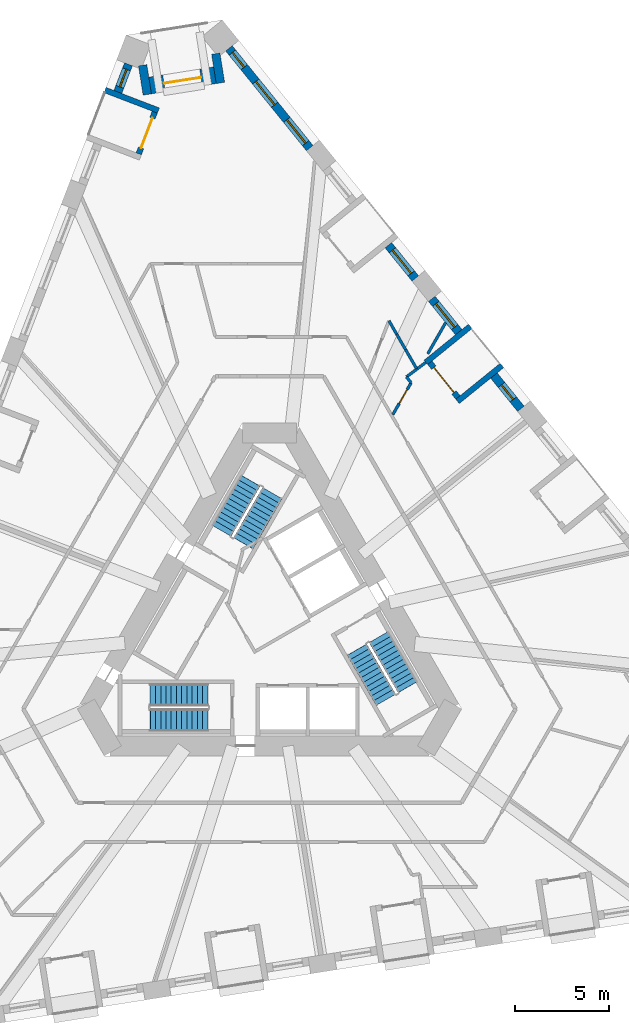
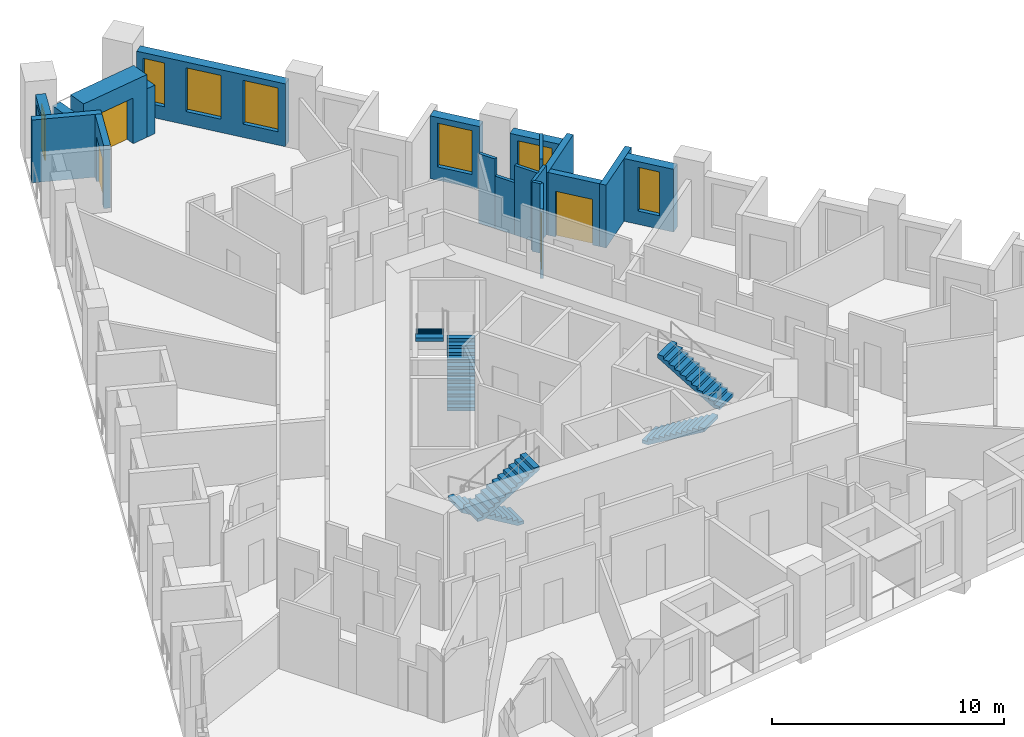
# One storey, part 9 of 13: 20 walls, 7 windows, 6 stair flights, 4 doors, 11 openings, 3 elements without a shape of their own.
"""IFC4 building model written with IfcOpenShell, lengths in metres."""

from ifc_helpers import new_model, si_unit, direction, frame, frame_2d, origin, place, context, subcontext, project, spatial, polyline, rectangle, outline, extrude, material, layer, layer_set, type_object, element, fill, aggregate, save


model = new_model("IFC4")

# Units and contexts
model_context = context("Model", 3, precision=1e-05, world=origin(), true_north=direction((0.0, 1.0)))
body_context = subcontext(model_context, "Body", "Model", "MODEL_VIEW")
ifc_project = project(units=[si_unit("LENGTHUNIT", "METRE"), si_unit("AREAUNIT", "SQUARE_METRE"), si_unit("VOLUMEUNIT", "CUBIC_METRE"), si_unit("PLANEANGLEUNIT", "RADIAN"), si_unit("MASSUNIT", "GRAM", prefix="KILO")], contexts=[model_context])

# Site, building, storey
site_placement = place(None, origin())
site = spatial("IfcSite", under=ifc_project, at=site_placement, CompositionType="ELEMENT")
building_placement = place(site_placement, origin())
building = spatial("IfcBuilding", under=site, at=building_placement, Name="Tramontana Tower", CompositionType="ELEMENT")
storey_placement = place(building_placement, frame((0.0, 0.0, 51.199951171875)))
storey = spatial("IfcBuildingStorey", under=building, at=storey_placement, Name="L10", CompositionType="ELEMENT", Elevation=51.199951171875)

# Wall, opening, window
ifc_material_1 = material(Name="Precast concrete 60 MPa", Category="concrete")
ifc_layer_1 = layer(ifc_material_1, 0.449951171875)
ifc_layer_set_1 = layer_set([ifc_layer_1], Name="Precast concrete 60 MPa, 450 mm")
wall_type_1 = type_object("IfcWallType", Name="EW1 Stone-faced precast wall 450", PredefinedType="SOLIDWALL", material=ifc_layer_set_1)
wall_1_placement = place(storey_placement, frame((-7.521728515625, 30.14453125, 0.0), z_axis=(0.0, 0.0, 1.0), x_axis=(-0.358431261356, -0.933556120907, 0.0)))
wall_1 = element("IfcWall", 1, at=wall_1_placement, inside=storey, type_object=wall_type_1, Name="External wall L10 face 0 bay 1", PredefinedType="SOLIDWALL", context=body_context, shape_type="SweptSolid", body=[
    extrude(rectangle(XDim=1.5830078125, YDim=0.449951171875, at=frame_2d((0.79150390625, 0.0))), origin(), (0.0, 0.0, 1.0), 3.300048828125),
])
opening_1_placement = place(wall_1_placement, frame((0.29150390625, 0.0, 0.699951171875)))
opening_1 = element("IfcOpeningElement", 2, at=opening_1_placement, cuts=wall_1, Name="Opening N1", PredefinedType="OPENING", context=body_context, shape_type="SweptSolid", body=[
    extrude(rectangle(XDim=1.0, YDim=2.300048828125, at=frame_2d((0.5, 1.14990234375))), frame((0.0, 0.23486328125, 0.0), z_axis=(0.0, -1.0, 0.0), x_axis=(1.0, 0.0, 0.0)), (0.0, 0.0, 1.0), 0.469970703125),
])
ifc_material_2 = material(Name="Aluminum frame, double glazing unit", Category="aluminium")
window_type_1 = type_object("IfcWindowType", Name="N1 Window 1 x 2.3", PartitioningType="SINGLE_PANEL", PredefinedType="WINDOW", material=ifc_material_2)
window_1_placement = place(opening_1_placement, origin())
window_1 = element("IfcWindow", 3, at=window_1_placement, inside=storey, type_object=window_type_1, Name="Window N1 L10 face 0 module 1", OverallHeight=2.300048828125, OverallWidth=1.0, PartitioningType="SINGLE_PANEL", PredefinedType="WINDOW", context=body_context, shape_type="SweptSolid", body=[
    extrude(rectangle(XDim=1.0, YDim=2.300048828125, at=frame_2d((0.5, 1.14990234375))), frame((0.0, 0.030029296875, 0.0), z_axis=(0.0, -1.0, 0.0), x_axis=(1.0, 0.0, 0.0)), (0.0, 0.0, 1.0), 0.06005859375),
])
fill(opening_1, window_1)

wall_2_placement = place(storey_placement, frame((13.412109375, 11.76171875, 0.0), z_axis=(0.0, 0.0, 1.0), x_axis=(-0.629339730135, 0.777130300576, 0.0)))
wall_2 = element("IfcWall", 4, at=wall_2_placement, inside=storey, type_object=wall_type_1, Name="External wall L10 face 2 bay 4", PredefinedType="SOLIDWALL", context=body_context, shape_type="SweptSolid", body=[
    extrude(rectangle(XDim=2.282958984375, YDim=0.449951171875, at=frame_2d((1.1416015625, 0.0))), origin(), (0.0, 0.0, 1.0), 3.300048828125),
])
opening_2_placement = place(wall_2_placement, frame((0.6416015625, 0.0, 0.699951171875)))
opening_2 = element("IfcOpeningElement", 5, at=opening_2_placement, cuts=wall_2, Name="Opening N1", PredefinedType="OPENING", context=body_context, shape_type="SweptSolid", body=[
    extrude(rectangle(XDim=1.0, YDim=2.300048828125, at=frame_2d((0.5, 1.14990234375))), frame((0.0, 0.23486328125, 0.0), z_axis=(0.0, -1.0, 0.0), x_axis=(1.0, 0.0, 0.0)), (0.0, 0.0, 1.0), 0.469970703125),
])
window_2_placement = place(opening_2_placement, origin())
window_2 = element("IfcWindow", 6, at=window_2_placement, inside=storey, type_object=window_type_1, Name="Window N1 L10 face 2 module 10", OverallHeight=2.300048828125, OverallWidth=1.0, PartitioningType="SINGLE_PANEL", PredefinedType="WINDOW", context=body_context, shape_type="SweptSolid", body=[
    extrude(rectangle(XDim=1.0, YDim=2.300048828125, at=frame_2d((0.5, 1.14990234375))), frame((0.0, 0.030029296875, 0.0), z_axis=(0.0, -1.0, 0.0), x_axis=(1.0, 0.0, 0.0)), (0.0, 0.0, 1.0), 0.06005859375),
])
fill(opening_2, window_2)

wall_3_placement = place(storey_placement, frame((10.09814453125, 15.85400390625, 0.0), z_axis=(0.0, 0.0, 1.0), x_axis=(-0.629339730135, 0.777130300576, 0.0)))
wall_3 = element("IfcWall", 7, at=wall_3_placement, inside=storey, type_object=wall_type_1, Name="External wall L10 face 2 bay 4", PredefinedType="SOLIDWALL", context=body_context, shape_type="SweptSolid", body=[
    extrude(rectangle(XDim=2.282958984375, YDim=0.449951171875, at=frame_2d((1.1416015625, 0.0))), origin(), (0.0, 0.0, 1.0), 3.300048828125),
])
opening_3_placement = place(wall_3_placement, frame((0.341552734375, 0.0, 0.699951171875)))
opening_3 = element("IfcOpeningElement", 8, at=opening_3_placement, cuts=wall_3, Name="Opening M1", PredefinedType="OPENING", context=body_context, shape_type="SweptSolid", body=[
    extrude(rectangle(XDim=1.60009765625, YDim=2.300048828125, at=frame_2d((0.800048828125, 1.14990234375))), frame((0.0, 0.23486328125, 0.0), z_axis=(0.0, -1.0, 0.0), x_axis=(1.0, 0.0, 0.0)), (0.0, 0.0, 1.0), 0.469970703125),
])
ifc_material_3 = material(Name="Aluminum frame, double glazing unit", Category="aluminium")
window_type_2 = type_object("IfcWindowType", Name="M1 Window 1.6 x 2.3", PartitioningType="SINGLE_PANEL", PredefinedType="WINDOW", material=ifc_material_3)
window_3_placement = place(opening_3_placement, origin())
window_3 = element("IfcWindow", 9, at=window_3_placement, inside=storey, type_object=window_type_2, Name="Window M1 L10 face 2 module 12", OverallHeight=2.300048828125, OverallWidth=1.60009765625, PartitioningType="SINGLE_PANEL", PredefinedType="WINDOW", context=body_context, shape_type="SweptSolid", body=[
    extrude(rectangle(XDim=1.60009765625, YDim=2.300048828125, at=frame_2d((0.800048828125, 1.14990234375))), frame((0.0, 0.030029296875, 0.0), z_axis=(0.0, -1.0, 0.0), x_axis=(1.0, 0.0, 0.0)), (0.0, 0.0, 1.0), 0.06005859375),
])
fill(opening_3, window_3)

wall_4_placement = place(storey_placement, frame((7.7802734375, 18.71630859375, 0.0), z_axis=(0.0, 0.0, 1.0), x_axis=(-0.629275139402, 0.777182603337, 0.0)))
wall_4 = element("IfcWall", 10, at=wall_4_placement, inside=storey, type_object=wall_type_1, Name="External wall L10 face 2 bay 5", PredefinedType="SOLIDWALL", context=body_context, shape_type="SweptSolid", body=[
    extrude(rectangle(XDim=2.28271484375, YDim=0.449951171875, at=frame_2d((1.141357421875, 0.0))), origin(), (0.0, 0.0, 1.0), 3.300048828125),
])
opening_4_placement = place(wall_4_placement, frame((0.341552734375, 0.0, 0.699951171875)))
opening_4 = element("IfcOpeningElement", 11, at=opening_4_placement, cuts=wall_4, Name="Opening M1", PredefinedType="OPENING", context=body_context, shape_type="SweptSolid", body=[
    extrude(rectangle(XDim=1.60009765625, YDim=2.300048828125, at=frame_2d((0.800048828125, 1.14990234375))), frame((0.0, 0.23486328125, 0.0), z_axis=(0.0, -1.0, 0.0), x_axis=(1.0, 0.0, 0.0)), (0.0, 0.0, 1.0), 0.469970703125),
])
window_4_placement = place(opening_4_placement, origin())
window_4 = element("IfcWindow", 12, at=window_4_placement, inside=storey, type_object=window_type_2, Name="Window M1 L10 face 2 module 13", OverallHeight=2.300048828125, OverallWidth=1.60009765625, PartitioningType="SINGLE_PANEL", PredefinedType="WINDOW", context=body_context, shape_type="SweptSolid", body=[
    extrude(rectangle(XDim=1.60009765625, YDim=2.300048828125, at=frame_2d((0.800048828125, 1.14990234375))), frame((0.0, 0.030029296875, 0.0), z_axis=(0.0, -1.0, 0.0), x_axis=(1.0, 0.0, 0.0)), (0.0, 0.0, 1.0), 0.06005859375),
])
fill(opening_4, window_4)

# Wall, openings, windows
wall_5_placement = place(storey_placement, frame((2.148681640625, 25.6708984375, 0.0), z_axis=(0.0, 0.0, 1.0), x_axis=(-0.629339730135, 0.777130300576, 0.0)))
wall_5 = element("IfcWall", 13, at=wall_5_placement, inside=storey, type_object=wall_type_1, Name="External wall L10 face 2 bay 6", PredefinedType="SOLIDWALL", context=body_context, shape_type="SweptSolid", body=[
    extrude(rectangle(XDim=6.848876953125, YDim=0.449951171875, at=frame_2d((3.42431640625, 0.0))), origin(), (0.0, 0.0, 1.0), 3.300048828125),
])
opening_5_placement = place(wall_5_placement, frame((0.341552734375, 0.0, 0.699951171875)))
opening_5 = element("IfcOpeningElement", 14, at=opening_5_placement, cuts=wall_5, Name="Opening M1", PredefinedType="OPENING", context=body_context, shape_type="SweptSolid", body=[
    extrude(rectangle(XDim=1.60009765625, YDim=2.300048828125, at=frame_2d((0.800048828125, 1.14990234375))), frame((0.0, 0.23486328125, 0.0), z_axis=(0.0, -1.0, 0.0), x_axis=(1.0, 0.0, 0.0)), (0.0, 0.0, 1.0), 0.469970703125),
])
opening_6_placement = place(wall_5_placement, frame((2.974365234375, 0.0, 0.699951171875)))
opening_6 = element("IfcOpeningElement", 15, at=opening_6_placement, cuts=wall_5, Name="Opening M1", PredefinedType="OPENING", context=body_context, shape_type="SweptSolid", body=[
    extrude(rectangle(XDim=1.60009765625, YDim=2.300048828125, at=frame_2d((0.800048828125, 1.14990234375))), frame((0.0, 0.23486328125, 0.0), z_axis=(0.0, -1.0, 0.0), x_axis=(1.0, 0.0, 0.0)), (0.0, 0.0, 1.0), 0.469970703125),
])
opening_7_placement = place(wall_5_placement, frame((5.557373046875, 0.0, 0.699951171875)))
opening_7 = element("IfcOpeningElement", 16, at=opening_7_placement, cuts=wall_5, Name="Opening N1", PredefinedType="OPENING", context=body_context, shape_type="SweptSolid", body=[
    extrude(rectangle(XDim=1.0, YDim=2.300048828125, at=frame_2d((0.5, 1.14990234375))), frame((0.0, 0.23486328125, 0.0), z_axis=(0.0, -1.0, 0.0), x_axis=(1.0, 0.0, 0.0)), (0.0, 0.0, 1.0), 0.469970703125),
])
window_5_placement = place(opening_5_placement, origin())
window_5 = element("IfcWindow", 17, at=window_5_placement, inside=storey, type_object=window_type_2, Name="Window M1 L10 face 2 module 16", OverallHeight=2.300048828125, OverallWidth=1.60009765625, PartitioningType="SINGLE_PANEL", PredefinedType="WINDOW", context=body_context, shape_type="SweptSolid", body=[
    extrude(rectangle(XDim=1.60009765625, YDim=2.300048828125, at=frame_2d((0.800048828125, 1.14990234375))), frame((0.0, 0.030029296875, 0.0), z_axis=(0.0, -1.0, 0.0), x_axis=(1.0, 0.0, 0.0)), (0.0, 0.0, 1.0), 0.06005859375),
])
fill(opening_5, window_5)
window_6_placement = place(opening_6_placement, origin())
window_6 = element("IfcWindow", 18, at=window_6_placement, inside=storey, type_object=window_type_2, Name="Window M1 L10 face 2 module 17", OverallHeight=2.300048828125, OverallWidth=1.60009765625, PartitioningType="SINGLE_PANEL", PredefinedType="WINDOW", context=body_context, shape_type="SweptSolid", body=[
    extrude(rectangle(XDim=1.60009765625, YDim=2.300048828125, at=frame_2d((0.800048828125, 1.14990234375))), frame((0.0, 0.030029296875, 0.0), z_axis=(0.0, -1.0, 0.0), x_axis=(1.0, 0.0, 0.0)), (0.0, 0.0, 1.0), 0.06005859375),
])
fill(opening_6, window_6)
window_7_placement = place(opening_7_placement, origin())
window_7 = element("IfcWindow", 19, at=window_7_placement, inside=storey, type_object=window_type_1, Name="Window N1 L10 face 2 module 18", OverallHeight=2.300048828125, OverallWidth=1.0, PartitioningType="SINGLE_PANEL", PredefinedType="WINDOW", context=body_context, shape_type="SweptSolid", body=[
    extrude(rectangle(XDim=1.0, YDim=2.300048828125, at=frame_2d((0.5, 1.14990234375))), frame((0.0, 0.030029296875, 0.0), z_axis=(0.0, -1.0, 0.0), x_axis=(1.0, 0.0, 0.0)), (0.0, 0.0, 1.0), 0.06005859375),
])
fill(opening_7, window_7)

# Walls
for number, where, z_axis, x_axis, name in (
    (20, (-6.765625, 30.09130859375, 0.0), (0.0, 0.0, 1.0), (0.156446802793, -0.987686386408, 0.0), "Corner loggia side wall L10 K10l"),
    (21, (-2.8642578125, 30.709228515625, 0.0), (0.0, 0.0, 1.0), (0.156446802793, -0.987686386408, 0.0), "Corner loggia side wall L10 K10r"),
):
    element("IfcWall", number, at=place(storey_placement, frame(where, z_axis=z_axis, x_axis=x_axis)), inside=storey, type_object=wall_type_1, Name=name, PredefinedType="SOLIDWALL", context=body_context, shape_type="SweptSolid", body=[
        extrude(rectangle(XDim=1.579345703125, YDim=0.449951171875, at=frame_2d((0.78955078125, 0.0))), origin(), (0.0, 0.0, 1.0), 2.550048828125),
    ])

# Wall, opening, door
ifc_material_4 = material(Name="Precast concrete 60 MPa", Category="concrete")
ifc_layer_2 = layer(ifc_material_4, 0.89990234375)
ifc_layer_set_2 = layer_set([ifc_layer_2], Name="EW2 Stone-faced corner loggia wall 900")
wall_type_2 = type_object("IfcWallType", Name="EW2 Stone-faced corner loggia wall 900", PredefinedType="SOLIDWALL", material=ifc_layer_set_2)
wall_6_placement = place(storey_placement, frame((-6.36669921875, 29.01123046875, 0.0), z_axis=(0.0, 0.0, 1.0), x_axis=(0.987683654859, 0.156464046744, 0.0)))
wall_6 = element("IfcWall", 22, at=wall_6_placement, inside=storey, type_object=wall_type_2, Name="Corner loggia wall L10 K10", PredefinedType="SOLIDWALL", context=body_context, shape_type="SweptSolid", body=[
    extrude(rectangle(XDim=3.5, YDim=0.89990234375, at=frame_2d((1.75, 0.0))), origin(), (0.0, 0.0, 1.0), 3.300048828125),
])
opening_8_placement = place(wall_6_placement, frame((0.75, 0.0, 0.0)))
opening_8 = element("IfcOpeningElement", 23, at=opening_8_placement, cuts=wall_6, Name="Opening BD-10C", PredefinedType="OPENING", context=body_context, shape_type="SweptSolid", body=[
    extrude(rectangle(XDim=2.0, YDim=2.39990234375, at=frame_2d((1.0, 1.199951171875))), frame((0.0, 0.4599609375, 0.0), z_axis=(0.0, -1.0, 0.0), x_axis=(1.0, 0.0, 0.0)), (0.0, 0.0, 1.0), 0.919921875),
])
ifc_material_5 = material(Name="Aluminum frame, double glazing unit", Category="aluminium")
door_type_1 = type_object("IfcDoorType", Name="BC1 Sliding door 2 x 2.4", OperationType="SLIDING_TO_LEFT", PredefinedType="DOOR", material=ifc_material_5)
door_1_placement = place(opening_8_placement, origin())
door_1 = element("IfcDoor", 24, at=door_1_placement, inside=storey, type_object=door_type_1, Name="Corner loggia door L10 K10", OperationType="SLIDING_TO_LEFT", OverallHeight=2.39990234375, OverallWidth=2.0, PredefinedType="DOOR", context=body_context, shape_type="SweptSolid", body=[
    extrude(rectangle(XDim=2.0, YDim=2.39990234375, at=frame_2d((1.0, 1.199951171875))), frame((0.0, 0.02490234375, 0.0), z_axis=(0.0, -1.0, 0.0), x_axis=(1.0, 0.0, 0.0)), (0.0, 0.0, 1.0), 0.050048828125),
])
fill(opening_8, door_1)

ifc_material_6 = material(Name="Precast concrete 60 MPa", Category="concrete")
ifc_layer_3 = layer(ifc_material_6, 0.300048828125)
ifc_layer_set_3 = layer_set([ifc_layer_3], Name="LW1 Stone-faced loggia wall 300")
wall_type_3 = type_object("IfcWallType", Name="LW1 Stone-faced loggia wall 300", PredefinedType="SOLIDWALL", material=ifc_layer_set_3)
wall_7_placement = place(storey_placement, frame((-6.119384765625, 27.58935546875, 0.0), z_axis=(0.0, 0.0, 1.0), x_axis=(-0.358354292693, -0.933585668757, 0.0)))
wall_7 = element("IfcWall", 25, at=wall_7_placement, inside=storey, type_object=wall_type_3, Name="Loggia wall L10 G1S0.1", PredefinedType="SOLIDWALL", context=body_context, shape_type="SweptSolid", body=[
    extrude(rectangle(XDim=2.383056640625, YDim=0.300048828125, at=frame_2d((1.19140625, 0.0))), origin(), (0.0, 0.0, 1.0), 3.300048828125),
])
opening_9_placement = place(wall_7_placement, frame((0.341552734375, 0.0, 0.0)))
opening_9 = element("IfcOpeningElement", 26, at=opening_9_placement, cuts=wall_7, Name="Opening BD-1S0-01", PredefinedType="OPENING", context=body_context, shape_type="SweptSolid", body=[
    extrude(rectangle(XDim=1.699951171875, YDim=2.39990234375, at=frame_2d((0.85009765625, 1.199951171875))), frame((0.0, 0.159912109375, 0.0), z_axis=(0.0, -1.0, 0.0), x_axis=(1.0, 0.0, 0.0)), (0.0, 0.0, 1.0), 0.320068359375),
])
ifc_material_7 = material(Name="Aluminum frame, double glazing unit", Category="aluminium")
door_type_2 = type_object("IfcDoorType", Name="BD1 Sliding door 1.7 x 2.4", OperationType="SLIDING_TO_LEFT", PredefinedType="DOOR", material=ifc_material_7)
door_2_placement = place(opening_9_placement, origin())
door_2 = element("IfcDoor", 27, at=door_2_placement, inside=storey, type_object=door_type_2, Name="Loggia door L10 G1S0.1", OperationType="SLIDING_TO_LEFT", OverallHeight=2.39990234375, OverallWidth=1.699951171875, PredefinedType="DOOR", context=body_context, shape_type="SweptSolid", body=[
    extrude(rectangle(XDim=1.699951171875, YDim=2.39990234375, at=frame_2d((0.85009765625, 1.199951171875))), frame((0.0, 0.02490234375, 0.0), z_axis=(0.0, -1.0, 0.0), x_axis=(1.0, 0.0, 0.0)), (0.0, 0.0, 1.0), 0.050048828125),
])
fill(opening_9, door_2)

# Wall
wall_8_placement = place(storey_placement, frame((-8.77294921875, 28.7685546875, 0.0), z_axis=(0.0, 0.0, 1.0), x_axis=(0.933580593625, -0.358367514161, 0.0)))
element("IfcWall", 28, at=wall_8_placement, inside=storey, type_object=wall_type_3, Name="Loggia return L10 G1S0.1a", PredefinedType="SOLIDWALL", context=body_context, shape_type="SweptSolid", body=[
    extrude(rectangle(XDim=3.050048828125, YDim=0.300048828125, at=frame_2d((1.52490234375, 0.0))), origin(), (0.0, 0.0, 1.0), 3.300048828125),
])

# Wall, opening, door
wall_9_placement = place(storey_placement, frame((10.057373046875, 12.36865234375, 0.0), z_axis=(0.0, 0.0, 1.0), x_axis=(-0.629257171563, 0.777197151331, 0.0)))
wall_9 = element("IfcWall", 29, at=wall_9_placement, inside=storey, type_object=wall_type_3, Name="Loggia wall L10 G1S2.10", PredefinedType="SOLIDWALL", context=body_context, shape_type="SweptSolid", body=[
    extrude(rectangle(XDim=2.383056640625, YDim=0.300048828125, at=frame_2d((1.19140625, 0.0))), origin(), (0.0, 0.0, 1.0), 3.300048828125),
])
opening_10_placement = place(wall_9_placement, frame((0.341552734375, 0.0, 0.0)))
opening_10 = element("IfcOpeningElement", 30, at=opening_10_placement, cuts=wall_9, Name="Opening BD-1S2-10", PredefinedType="OPENING", context=body_context, shape_type="SweptSolid", body=[
    extrude(rectangle(XDim=1.699951171875, YDim=2.39990234375, at=frame_2d((0.85009765625, 1.199951171875))), frame((0.0, 0.159912109375, 0.0), z_axis=(0.0, -1.0, 0.0), x_axis=(1.0, 0.0, 0.0)), (0.0, 0.0, 1.0), 0.320068359375),
])
door_3_placement = place(opening_10_placement, origin())
door_3 = element("IfcDoor", 31, at=door_3_placement, inside=storey, type_object=door_type_2, Name="Loggia door L10 G1S2.10", OperationType="SLIDING_TO_LEFT", OverallHeight=2.39990234375, OverallWidth=1.699951171875, PredefinedType="DOOR", context=body_context, shape_type="SweptSolid", body=[
    extrude(rectangle(XDim=1.699951171875, YDim=2.39990234375, at=frame_2d((0.85009765625, 1.199951171875))), frame((0.0, 0.02490234375, 0.0), z_axis=(0.0, -1.0, 0.0), x_axis=(1.0, 0.0, 0.0)), (0.0, 0.0, 1.0), 0.050048828125),
])
fill(opening_10, door_3)

# Walls
wall_10_placement = place(storey_placement, frame((12.405517578125, 14.0771484375, 0.0), z_axis=(0.0, 0.0, 1.0), x_axis=(-0.777153523895, -0.629311052102, 0.0)))
element("IfcWall", 32, at=wall_10_placement, inside=storey, type_object=wall_type_3, Name="Loggia return L10 G1S2.10a", PredefinedType="SOLIDWALL", context=body_context, shape_type="SweptSolid", body=[
    extrude(rectangle(XDim=3.050048828125, YDim=0.300048828125, at=frame_2d((1.52490234375, 0.0))), origin(), (0.0, 0.0, 1.0), 3.300048828125),
])
wall_11_placement = place(storey_placement, frame((10.717041015625, 16.162353515625, 0.0), z_axis=(0.0, 0.0, 1.0), x_axis=(-0.777121820661, -0.629350201281, 0.0)))
element("IfcWall", 33, at=wall_11_placement, inside=storey, type_object=wall_type_3, Name="Loggia return L10 G1S2.10b", PredefinedType="SOLIDWALL", context=body_context, shape_type="SweptSolid", body=[
    extrude(rectangle(XDim=3.0498046875, YDim=0.300048828125, at=frame_2d((1.52490234375, 0.0))), origin(), (0.0, 0.0, 1.0), 3.300048828125),
])
ifc_material_8 = material(Name="Gypsum board partition")
ifc_layer_4 = layer(ifc_material_8, 0.14990234375)
ifc_layer_set_4 = layer_set([ifc_layer_4], Name="PARTITION 150")
wall_type_4 = type_object("IfcWallType", Name="PARTITION 150", PredefinedType="PARTITIONING", material=ifc_layer_set_4)
wall_12_placement = place(storey_placement, frame((6.37646484375, 16.455322265625, 0.0), z_axis=(0.0, 0.0, 1.0), x_axis=(0.500080620599, -0.865978852456, 0.0)))
element("IfcWall", 34, at=wall_12_placement, inside=storey, type_object=wall_type_4, Name="Wall v10-pw25-0", PredefinedType="PARTITIONING", context=body_context, shape_type="SweptSolid", body=[
    extrude(rectangle(XDim=0.825927734375, YDim=0.14990234375, at=frame_2d((0.4130859375, 0.0))), origin(), (0.0, 0.0, 1.0), 3.650146484375),
])
wall_13_placement = place(storey_placement, frame((6.78955078125, 15.739990234375, 0.0), z_axis=(0.0, 0.0, 1.0), x_axis=(0.500144919923, -0.865941718059, 0.0)))
element("IfcWall", 35, at=wall_13_placement, inside=storey, type_object=wall_type_4, Name="Wall v10-pw25-1", PredefinedType="PARTITIONING", context=body_context, shape_type="SweptSolid", body=[
    extrude(rectangle(XDim=0.950439453125, YDim=0.14990234375, at=frame_2d((0.47509765625, 0.0))), origin(), (0.0, 0.0, 1.0), 2.75),
])
wall_14_placement = place(storey_placement, frame((7.264892578125, 14.9169921875, 0.0), z_axis=(0.0, 0.0, 1.0), x_axis=(0.49995746443, -0.866049960314, 0.0)))
element("IfcWall", 36, at=wall_14_placement, inside=storey, type_object=wall_type_4, Name="Wall v10-pw25-2", PredefinedType="PARTITIONING", context=body_context, shape_type="SweptSolid", body=[
    extrude(rectangle(XDim=1.1689453125, YDim=0.14990234375, at=frame_2d((0.58447265625, 0.0))), origin(), (0.0, 0.0, 1.0), 3.650146484375),
])
wall_15_placement = place(storey_placement, frame((7.30615234375, 13.4619140625, 0.0), z_axis=(0.0, 0.0, 1.0), x_axis=(0.629373821477, -0.777102691309, 0.0)))
element("IfcWall", 37, at=wall_15_placement, inside=storey, type_object=wall_type_4, Name="Wall v10-pw26", PredefinedType="PARTITIONING", context=body_context, shape_type="SweptSolid", body=[
    extrude(rectangle(XDim=0.39990234375, YDim=0.14990234375, at=frame_2d((0.199951171875, 0.0))), origin(), (0.0, 0.0, 1.0), 3.650146484375),
])

# Wall, opening, door
wall_16_placement = place(storey_placement, frame((6.5810546875, 11.451416015625, 0.0), z_axis=(0.0, 0.0, 1.0), x_axis=(0.498323693161, 0.866991059259, 0.0)))
wall_16 = element("IfcWall", 38, at=wall_16_placement, inside=storey, type_object=wall_type_4, Name="Wall v10-pw27", PredefinedType="PARTITIONING", context=body_context, shape_type="SweptSolid", body=[
    extrude(rectangle(XDim=1.960205078125, YDim=0.14990234375, at=frame_2d((0.97998046875, 0.0))), origin(), (0.0, 0.0, 1.0), 3.650146484375),
])
opening_11_placement = place(wall_16_placement, frame((0.6904296875, 0.0, 0.0)))
opening_11 = element("IfcOpeningElement", 39, at=opening_11_placement, cuts=wall_16, Name="Opening B1A-09", PredefinedType="OPENING", context=body_context, shape_type="SweptSolid", body=[
    extrude(rectangle(XDim=0.85009765625, YDim=2.39990234375, at=frame_2d((0.425048828125, 1.199951171875))), frame((0.0, 0.0849609375, 0.0), z_axis=(0.0, -1.0, 0.0), x_axis=(1.0, 0.0, 0.0)), (0.0, 0.0, 1.0), 0.169921875),
])
ifc_material_9 = material(Name="Painted timber", Category="wood")
door_type_3 = type_object("IfcDoorType", Name="DOOR BATH 850", OperationType="SINGLE_SWING_LEFT", PredefinedType="DOOR", material=ifc_material_9)
door_4_placement = place(opening_11_placement, origin())
door_4 = element("IfcDoor", 40, at=door_4_placement, inside=storey, type_object=door_type_3, Name="Door B1A-09", OperationType="SINGLE_SWING_LEFT", OverallHeight=2.39990234375, OverallWidth=0.85009765625, PredefinedType="DOOR", context=body_context, shape_type="SweptSolid", body=[
    extrude(rectangle(XDim=0.85009765625, YDim=2.39990234375, at=frame_2d((0.425048828125, 1.199951171875))), frame((0.0, 0.02490234375, 0.0), z_axis=(0.0, -1.0, 0.0), x_axis=(1.0, 0.0, 0.0)), (0.0, 0.0, 1.0), 0.050048828125),
])
fill(opening_11, door_4)

# Walls
wall_17_placement = place(storey_placement, frame((8.346923828125, 14.242919921875, 0.0), z_axis=(0.0, 0.0, 1.0), x_axis=(-0.800856036298, -0.598856918742, 0.0)))
element("IfcWall", 41, at=wall_17_placement, inside=storey, type_object=wall_type_4, Name="Wall v10-pw31", PredefinedType="PARTITIONING", context=body_context, shape_type="SweptSolid", body=[
    extrude(rectangle(XDim=1.29931640625, YDim=0.14990234375, at=frame_2d((0.649658203125, 0.0))), origin(), (0.0, 0.0, 1.0), 3.650146484375),
])
wall_18_placement = place(storey_placement, frame((9.40087890625, 16.357666015625, 0.0), z_axis=(0.0, 0.0, 1.0), x_axis=(-0.498291581793, -0.867009515239, 0.0)))
element("IfcWall", 42, at=wall_18_placement, inside=storey, type_object=wall_type_4, Name="Wall v10-pw33", PredefinedType="PARTITIONING", context=body_context, shape_type="SweptSolid", body=[
    extrude(rectangle(XDim=1.916259765625, YDim=0.14990234375, at=frame_2d((0.9580078125, 0.0))), origin(), (0.0, 0.0, 1.0), 3.650146484375),
])

# Stair, stair flights
ifc_material_10 = material(Name="Concrete 40 MPa", Category="concrete")
stair_type = type_object("IfcStairType", Name="EXIT STAIR 24 RISERS", PredefinedType="HALF_TURN_STAIR", material=ifc_material_10)
stair_1_placement = place(storey_placement, origin())
stair_1 = element("IfcStair", 43, at=stair_1_placement, inside=storey, type_object=stair_type, Name="L10 Exit stair ST1", PredefinedType="HALF_TURN_STAIR")
ifc_material_11 = material(Name="Concrete 40 MPa", Category="concrete")
ifc_layer_5 = layer(ifc_material_11, 0.14990234375)
ifc_layer_set_5 = layer_set([ifc_layer_5], Name="EXIT STAIR FLIGHT")
stair_flight_type = type_object("IfcStairFlightType", Name="EXIT STAIR FLIGHT", PredefinedType="STRAIGHT", material=ifc_layer_set_5)
stair_flight_1_placement = place(storey_placement, frame((-1.39111328125, 4.590576171875, 0.0), z_axis=(0.0, 0.0, 1.0), x_axis=(0.5, 0.866025403784, 0.0)))
stair_flight_1 = element("IfcStairFlight", 44, at=stair_flight_1_placement, type_object=stair_flight_type, Name="ST1 flight 1", NumberOfRisers=12, NumberOfTreads=11, PredefinedType="STRAIGHT", RiserHeight=0.166666667, TreadLength=0.28, context=body_context, shape_type="SweptSolid", body=[
    extrude(outline(polyline([(-0.006103515625, 0.0), (-0.006103515625, 0.0400390625), (0.0, 0.0400390625), (0.0, 0.166748046875), (0.280029296875, 0.166748046875), (0.280029296875, 0.333251953125), (0.56005859375, 0.333251953125), (0.56005859375, 0.5), (0.840087890625, 0.5), (0.840087890625, 0.666748046875), (1.1201171875, 0.666748046875), (1.1201171875, 0.833251953125), (1.39990234375, 0.833251953125), (1.39990234375, 1.0), (1.679931640625, 1.0), (1.679931640625, 1.166748046875), (1.9599609375, 1.166748046875), (1.9599609375, 1.333251953125), (2.239990234375, 1.333251953125), (2.239990234375, 1.5), (2.52001953125, 1.5), (2.52001953125, 1.666748046875), (2.800048828125, 1.666748046875), (2.800048828125, 1.833251953125), (3.080078125, 1.833251953125), (3.0859375, 1.833251953125), (3.0859375, 1.658935546875), (0.299072265625, 0.0), (-0.006103515625, 0.0)])), frame((0.0, 0.60009765625, 0.0), z_axis=(0.0, -1.0, 0.0), x_axis=(1.0, 0.0, 0.0)), (0.0, 0.0, 1.0), 1.199951171875),
])
stair_flight_2_placement = place(storey_placement, frame((-1.020263671875, 7.932861328125, 2.0), z_axis=(0.0, 0.0, 1.0), x_axis=(-0.5, -0.866025403784, 0.0)))
stair_flight_2 = element("IfcStairFlight", 45, at=stair_flight_2_placement, type_object=stair_flight_type, Name="ST1 flight 2", NumberOfRisers=12, NumberOfTreads=11, PredefinedType="STRAIGHT", RiserHeight=0.166666667, TreadLength=0.28, context=body_context, shape_type="SweptSolid", body=[
    extrude(outline(polyline([(-0.006103515625, 0.0), (-0.006103515625, 0.0400390625), (0.0, 0.0400390625), (0.0, 0.166748046875), (0.280029296875, 0.166748046875), (0.280029296875, 0.333251953125), (0.56005859375, 0.333251953125), (0.56005859375, 0.5), (0.840087890625, 0.5), (0.840087890625, 0.666748046875), (1.1201171875, 0.666748046875), (1.1201171875, 0.833251953125), (1.39990234375, 0.833251953125), (1.39990234375, 1.0), (1.679931640625, 1.0), (1.679931640625, 1.166748046875), (1.9599609375, 1.166748046875), (1.9599609375, 1.333251953125), (2.239990234375, 1.333251953125), (2.239990234375, 1.5), (2.52001953125, 1.5), (2.52001953125, 1.666748046875), (2.800048828125, 1.666748046875), (2.800048828125, 1.833251953125), (3.080078125, 1.833251953125), (3.0859375, 1.833251953125), (3.0859375, 1.658935546875), (0.299072265625, 0.0), (-0.006103515625, 0.0)])), frame((0.0, 0.60009765625, 0.0), z_axis=(0.0, -1.0, 0.0), x_axis=(1.0, 0.0, 0.0)), (0.0, 0.0, 1.0), 1.199951171875),
])
aggregate(stair_1, [stair_flight_1, stair_flight_2])

stair_2_placement = place(storey_placement, origin())
stair_2 = element("IfcStair", 46, at=stair_2_placement, inside=storey, type_object=stair_type, Name="L10 Exit stair ST2", PredefinedType="HALF_TURN_STAIR")
stair_flight_3_placement = place(storey_placement, frame((-3.280029296875, -3.5, 0.0), z_axis=(0.0, 0.0, 1.0), x_axis=(-1.0, 0.0, 0.0)))
stair_flight_3 = element("IfcStairFlight", 47, at=stair_flight_3_placement, type_object=stair_flight_type, Name="ST2 flight 1", NumberOfRisers=12, NumberOfTreads=11, PredefinedType="STRAIGHT", RiserHeight=0.166666667, TreadLength=0.28, context=body_context, shape_type="SweptSolid", body=[
    extrude(outline(polyline([(-0.006103515625, 0.0), (-0.006103515625, 0.0400390625), (0.0, 0.0400390625), (0.0, 0.166748046875), (0.280029296875, 0.166748046875), (0.280029296875, 0.333251953125), (0.56005859375, 0.333251953125), (0.56005859375, 0.5), (0.840087890625, 0.5), (0.840087890625, 0.666748046875), (1.1201171875, 0.666748046875), (1.1201171875, 0.833251953125), (1.39990234375, 0.833251953125), (1.39990234375, 1.0), (1.679931640625, 1.0), (1.679931640625, 1.166748046875), (1.9599609375, 1.166748046875), (1.9599609375, 1.333251953125), (2.239990234375, 1.333251953125), (2.239990234375, 1.5), (2.52001953125, 1.5), (2.52001953125, 1.666748046875), (2.800048828125, 1.666748046875), (2.800048828125, 1.833251953125), (3.080078125, 1.833251953125), (3.0859375, 1.833251953125), (3.0859375, 1.658935546875), (0.299072265625, 0.0), (-0.006103515625, 0.0)])), frame((0.0, 0.60009765625, 0.0), z_axis=(0.0, -1.0, 0.0), x_axis=(1.0, 0.0, 0.0)), (0.0, 0.0, 1.0), 1.199951171875),
])
stair_flight_4_placement = place(storey_placement, frame((-6.360107421875, -4.85009765625, 2.0), z_axis=(0.0, 0.0, 1.0), x_axis=(1.0, 0.0, 0.0)))
stair_flight_4 = element("IfcStairFlight", 48, at=stair_flight_4_placement, type_object=stair_flight_type, Name="ST2 flight 2", NumberOfRisers=12, NumberOfTreads=11, PredefinedType="STRAIGHT", RiserHeight=0.166666667, TreadLength=0.28, context=body_context, shape_type="SweptSolid", body=[
    extrude(outline(polyline([(-0.006103515625, 0.0), (-0.006103515625, 0.0400390625), (0.0, 0.0400390625), (0.0, 0.166748046875), (0.280029296875, 0.166748046875), (0.280029296875, 0.333251953125), (0.56005859375, 0.333251953125), (0.56005859375, 0.5), (0.840087890625, 0.5), (0.840087890625, 0.666748046875), (1.1201171875, 0.666748046875), (1.1201171875, 0.833251953125), (1.39990234375, 0.833251953125), (1.39990234375, 1.0), (1.679931640625, 1.0), (1.679931640625, 1.166748046875), (1.9599609375, 1.166748046875), (1.9599609375, 1.333251953125), (2.239990234375, 1.333251953125), (2.239990234375, 1.5), (2.52001953125, 1.5), (2.52001953125, 1.666748046875), (2.800048828125, 1.666748046875), (2.800048828125, 1.833251953125), (3.080078125, 1.833251953125), (3.0859375, 1.833251953125), (3.0859375, 1.658935546875), (0.299072265625, 0.0), (-0.006103515625, 0.0)])), frame((0.0, 0.60009765625, 0.0), z_axis=(0.0, -1.0, 0.0), x_axis=(1.0, 0.0, 0.0)), (0.0, 0.0, 1.0), 1.199951171875),
])
aggregate(stair_2, [stair_flight_3, stair_flight_4])

stair_3_placement = place(storey_placement, origin())
stair_3 = element("IfcStair", 49, at=stair_3_placement, inside=storey, type_object=stair_type, Name="L10 Exit stair ST3", PredefinedType="HALF_TURN_STAIR")
stair_flight_5_placement = place(storey_placement, frame((4.671142578125, -1.090576171875, 0.0), z_axis=(0.0, 0.0, 1.0), x_axis=(0.5, -0.866025403784, 0.0)))
stair_flight_5 = element("IfcStairFlight", 50, at=stair_flight_5_placement, type_object=stair_flight_type, Name="ST3 flight 1", NumberOfRisers=12, NumberOfTreads=11, PredefinedType="STRAIGHT", RiserHeight=0.166666667, TreadLength=0.28, context=body_context, shape_type="SweptSolid", body=[
    extrude(outline(polyline([(-0.006103515625, 0.0), (-0.006103515625, 0.0400390625), (0.0, 0.0400390625), (0.0, 0.166748046875), (0.280029296875, 0.166748046875), (0.280029296875, 0.333251953125), (0.56005859375, 0.333251953125), (0.56005859375, 0.5), (0.840087890625, 0.5), (0.840087890625, 0.666748046875), (1.1201171875, 0.666748046875), (1.1201171875, 0.833251953125), (1.39990234375, 0.833251953125), (1.39990234375, 1.0), (1.679931640625, 1.0), (1.679931640625, 1.166748046875), (1.9599609375, 1.166748046875), (1.9599609375, 1.333251953125), (2.239990234375, 1.333251953125), (2.239990234375, 1.5), (2.52001953125, 1.5), (2.52001953125, 1.666748046875), (2.800048828125, 1.666748046875), (2.800048828125, 1.833251953125), (3.080078125, 1.833251953125), (3.0859375, 1.833251953125), (3.0859375, 1.658935546875), (0.299072265625, 0.0), (-0.006103515625, 0.0)])), frame((0.0, 0.60009765625, 0.0), z_axis=(0.0, -1.0, 0.0), x_axis=(1.0, 0.0, 0.0)), (0.0, 0.0, 1.0), 1.199951171875),
])
stair_flight_6_placement = place(storey_placement, frame((7.380126953125, -3.0830078125, 2.0), z_axis=(0.0, 0.0, 1.0), x_axis=(-0.5, 0.866025403784, 0.0)))
stair_flight_6 = element("IfcStairFlight", 51, at=stair_flight_6_placement, type_object=stair_flight_type, Name="ST3 flight 2", NumberOfRisers=12, NumberOfTreads=11, PredefinedType="STRAIGHT", RiserHeight=0.166666667, TreadLength=0.28, context=body_context, shape_type="SweptSolid", body=[
    extrude(outline(polyline([(-0.006103515625, 0.0), (-0.006103515625, 0.0400390625), (0.0, 0.0400390625), (0.0, 0.166748046875), (0.280029296875, 0.166748046875), (0.280029296875, 0.333251953125), (0.56005859375, 0.333251953125), (0.56005859375, 0.5), (0.840087890625, 0.5), (0.840087890625, 0.666748046875), (1.1201171875, 0.666748046875), (1.1201171875, 0.833251953125), (1.39990234375, 0.833251953125), (1.39990234375, 1.0), (1.679931640625, 1.0), (1.679931640625, 1.166748046875), (1.9599609375, 1.166748046875), (1.9599609375, 1.333251953125), (2.239990234375, 1.333251953125), (2.239990234375, 1.5), (2.52001953125, 1.5), (2.52001953125, 1.666748046875), (2.800048828125, 1.666748046875), (2.800048828125, 1.833251953125), (3.080078125, 1.833251953125), (3.0859375, 1.833251953125), (3.0859375, 1.658935546875), (0.299072265625, 0.0), (-0.006103515625, 0.0)])), frame((0.0, 0.60009765625, 0.0), z_axis=(0.0, -1.0, 0.0), x_axis=(1.0, 0.0, 0.0)), (0.0, 0.0, 1.0), 1.199951171875),
])
aggregate(stair_3, [stair_flight_5, stair_flight_6])

save(model, "model.ifc")
